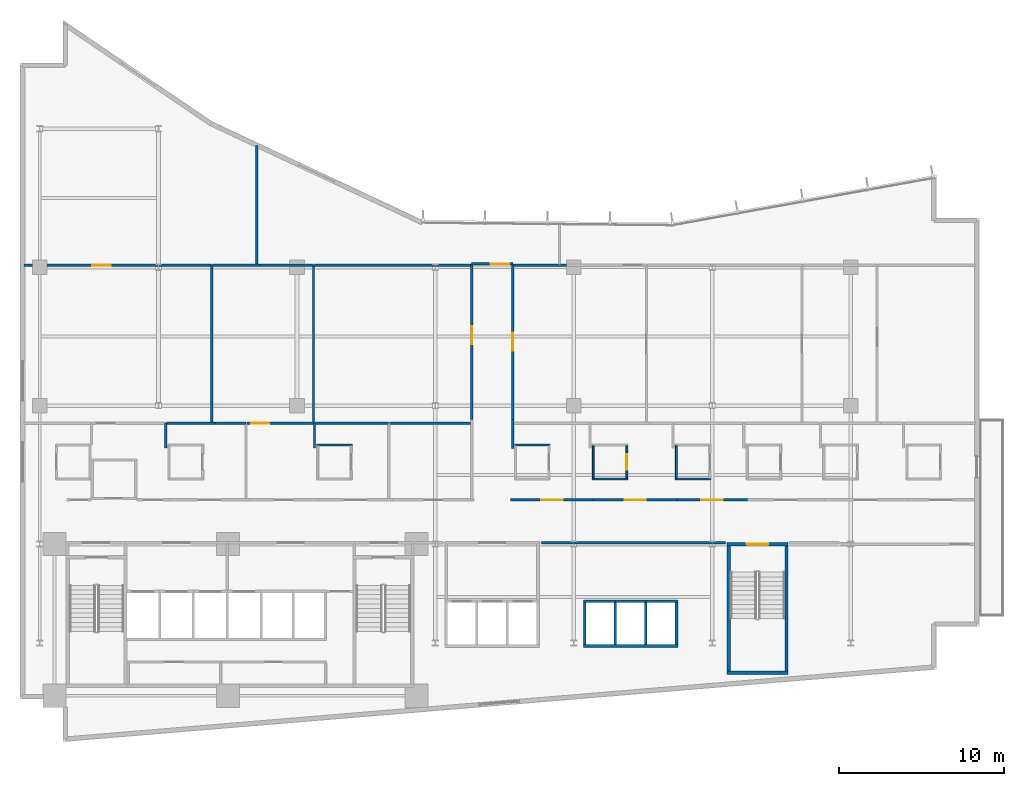
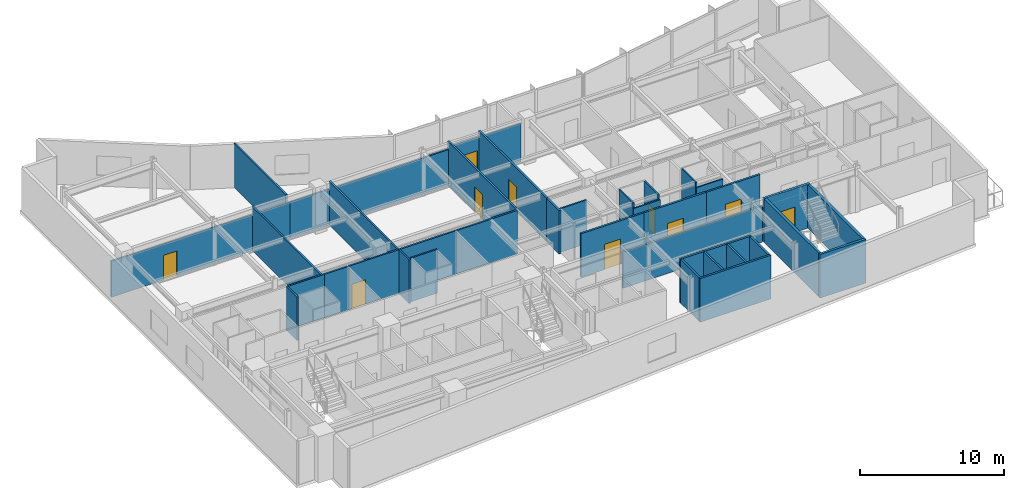
# One storey, part 12 of 19: 42 walls, 10 doors, 10 openings.
"""IFC4 building model written with IfcOpenShell, lengths in metres."""

from ifc_helpers import new_model, si_unit, direction, frame, frame_2d, origin, place, context, subcontext, project, spatial, rectangle, extrude, material, layer, layer_set, type_object, element, fill, save


model = new_model("IFC4")

# Units and contexts
model_context = context("Model", 3, precision=1e-05, world=origin(), true_north=direction((0.0, 1.0)))
body_context = subcontext(model_context, "Body", "Model", "MODEL_VIEW")
ifc_project = project(units=[si_unit("LENGTHUNIT", "METRE"), si_unit("AREAUNIT", "SQUARE_METRE"), si_unit("VOLUMEUNIT", "CUBIC_METRE"), si_unit("PLANEANGLEUNIT", "RADIAN"), si_unit("MASSUNIT", "GRAM", prefix="KILO")], contexts=[model_context])

# Site, building, storey
site_placement = place(None, origin())
site = spatial("IfcSite", under=ifc_project, at=site_placement, CompositionType="ELEMENT")
building_placement = place(site_placement, origin())
building = spatial("IfcBuilding", under=site, at=building_placement, Name="Varnakote Quay Hospital", CompositionType="ELEMENT")
storey_placement = place(building_placement, frame((0.0, 0.0, 50.14990234375)))
storey = spatial("IfcBuildingStorey", under=building, at=storey_placement, Name="L12", CompositionType="ELEMENT", Elevation=50.14990234375)

# Walls
ifc_material_1 = material(Name="Fire-rated acoustic gypsum stud wall", Category="gypsum")
ifc_layer_1 = layer(ifc_material_1, 0.159912109375)
ifc_layer_set_1 = layer_set([ifc_layer_1], Name="Fire-rated acoustic gypsum stud wall")
wall_type_1 = type_object("IfcWallType", Name="WL-COMP-160", PredefinedType="PARTITIONING", material=ifc_layer_set_1)
wall_1_placement = place(storey_placement, frame((31.6298828125, 12.080078125, 0.0), z_axis=(0.0, 0.0, 1.0), x_axis=(1.0, 0.0, 0.0)))
element("IfcWall", 1, at=wall_1_placement, inside=storey, type_object=wall_type_1, Name="L12 Corridor South Gap Wall", PredefinedType="PARTITIONING", context=body_context, shape_type="SweptSolid", body=[
    extrude(rectangle(XDim=11.180908203125, YDim=0.159912109375, at=frame_2d((5.59033203125, 0.0))), origin(), (0.0, 0.0, 1.0), 3.072998046875),
])
ifc_material_2 = material(Name="Moisture-resistant bathroom partition", Category="gypsum")
ifc_layer_2 = layer(ifc_material_2, 0.114990234375)
ifc_layer_set_2 = layer_set([ifc_layer_2], Name="Moisture-resistant bathroom partition")
wall_type_2 = type_object("IfcWallType", Name="WL-ENS-115", PredefinedType="PARTITIONING", material=ifc_layer_set_2)
for number, where, z_axis, x_axis, name in (
    (2, (18.0048828125, 18.017578125, 0.0), (0.0, 0.0, 1.0), (1.0, 0.0, 0.0), "L12 Inpatient En-Suite Bathroom 03 N Wall"),
    (3, (30.0048828125, 18.017578125, 0.0), (0.0, 0.0, 1.0), (1.0, 0.0, 0.0), "L12 Inpatient En-Suite Bathroom 04 N Wall"),
):
    element("IfcWall", number, at=place(storey_placement, frame(where, z_axis=z_axis, x_axis=x_axis)), inside=storey, type_object=wall_type_2, Name=name, PredefinedType="PARTITIONING", context=body_context, shape_type="SweptSolid", body=[
        extrude(rectangle(XDim=2.150146484375, YDim=0.114990234375, at=frame_2d((1.0751953125, 0.0))), origin(), (0.0, 0.0, 1.0), 3.710205078125),
    ])
wall_2_placement = place(storey_placement, frame((34.72509765625, 15.952392578125, 0.0), z_axis=(0.0, 0.0, 1.0), x_axis=(1.0, 0.0, 0.0)))
element("IfcWall", 4, at=wall_2_placement, inside=storey, type_object=wall_type_2, Name="L12 Inpatient En-Suite Bathroom 05 S Wall", PredefinedType="PARTITIONING", context=body_context, shape_type="SweptSolid", body=[
    extrude(rectangle(XDim=2.14990234375, YDim=0.114990234375, at=frame_2d((1.074951171875, 0.0))), origin(), (0.0, 0.0, 1.0), 3.3291015625),
])
wall_3_placement = place(storey_placement, frame((34.782470703125, 16.010009765625, 0.0), z_axis=(0.0, 0.0, 1.0), x_axis=(0.0, 1.0, 0.0)))
element("IfcWall", 5, at=wall_3_placement, inside=storey, type_object=wall_type_2, Name="L12 Inpatient En-Suite Bathroom 05 W Wall", PredefinedType="PARTITIONING", context=body_context, shape_type="SweptSolid", body=[
    extrude(rectangle(XDim=1.949951171875, YDim=0.114990234375, at=frame_2d((0.97509765625, 0.0))), origin(), (0.0, 0.0, 1.0), 3.710205078125),
])

# Wall, opening, door
wall_4_placement = place(storey_placement, frame((36.8173828125, 16.010009765625, 0.0), z_axis=(0.0, 0.0, 1.0), x_axis=(0.0, 1.0, 0.0)))
wall_4 = element("IfcWall", 6, at=wall_4_placement, inside=storey, type_object=wall_type_2, Name="L12 Inpatient En-Suite Bathroom 05 E Wall", PredefinedType="PARTITIONING", context=body_context, shape_type="SweptSolid", body=[
    extrude(rectangle(XDim=1.949951171875, YDim=0.114990234375, at=frame_2d((0.97509765625, 0.0))), origin(), (0.0, 0.0, 1.0), 3.710205078125),
])
opening_1_placement = place(wall_4_placement, frame((0.514892578125, 0.0, 0.0)))
opening_1 = element("IfcOpeningElement", 7, at=opening_1_placement, cuts=wall_4, Name="Opening D-L12-ENS05", PredefinedType="OPENING", context=body_context, shape_type="SweptSolid", body=[
    extrude(rectangle(XDim=0.919921875, YDim=2.10009765625, at=frame_2d((0.4599609375, 1.050048828125))), frame((0.0, 0.0673828125, 0.0), z_axis=(0.0, -1.0, 0.0), x_axis=(1.0, 0.0, 0.0)), (0.0, 0.0, 1.0), 0.135009765625),
])
ifc_material_3 = material(Name="Moisture-sealed en-suite bathroom door")
door_type_1 = type_object("IfcDoorType", Name="DR-ENS-920x2100", OperationType="NOTDEFINED", PredefinedType="DOOR", material=ifc_material_3)
door_1_placement = place(opening_1_placement, origin())
door_1 = element("IfcDoor", 8, at=door_1_placement, inside=storey, type_object=door_type_1, Name="L12 Inpatient En-Suite Bathroom 05 Door", OperationType="SINGLE_SWING_LEFT", OverallHeight=2.10009765625, OverallWidth=0.919921875, PredefinedType="DOOR", context=body_context, shape_type="SweptSolid", body=[
    extrude(rectangle(XDim=0.919921875, YDim=2.10009765625, at=frame_2d((0.4599609375, 1.050048828125))), frame((0.0, 0.02490234375, 0.0), z_axis=(0.0, -1.0, 0.0), x_axis=(1.0, 0.0, 0.0)), (0.0, 0.0, 1.0), 0.050048828125),
])
fill(opening_1, door_1)

# Walls
wall_5_placement = place(storey_placement, frame((39.764892578125, 15.952392578125, 0.0), z_axis=(0.0, 0.0, 1.0), x_axis=(1.0, 0.0, 0.0)))
element("IfcWall", 9, at=wall_5_placement, inside=storey, type_object=wall_type_2, Name="L12 Inpatient En-Suite Bathroom 06 S Wall", PredefinedType="PARTITIONING", context=body_context, shape_type="SweptSolid", body=[
    extrude(rectangle(XDim=2.150146484375, YDim=0.114990234375, at=frame_2d((1.0751953125, 0.0))), origin(), (0.0, 0.0, 1.0), 3.3291015625),
])
wall_6_placement = place(storey_placement, frame((39.822509765625, 16.010009765625, 0.0), z_axis=(0.0, 0.0, 1.0), x_axis=(0.0, 1.0, 0.0)))
element("IfcWall", 10, at=wall_6_placement, inside=storey, type_object=wall_type_2, Name="L12 Inpatient En-Suite Bathroom 06 W Wall", PredefinedType="PARTITIONING", context=body_context, shape_type="SweptSolid", body=[
    extrude(rectangle(XDim=1.949951171875, YDim=0.114990234375, at=frame_2d((0.97509765625, 0.0))), origin(), (0.0, 0.0, 1.0), 3.710205078125),
])
ifc_material_4 = material(Name="Concrete N50 (f'c 50 MPa)", Category="concrete")
ifc_layer_3 = layer(ifc_material_4, 0.14990234375)
ifc_layer_set_3 = layer_set([ifc_layer_3], Name="Concrete N50 (f'c 50 MPa)")
wall_type_3 = type_object("IfcWallType", Name="WL-SHAFT-N50-150", PredefinedType="SHEAR", material=ifc_layer_set_3)
for number, where, z_axis, x_axis, name in (
    (11, (36.125, 5.89990234375, 0.0), (0.0, 0.0, 1.0), (0.0, 1.0, 0.0), "L12 LF-PM1 Hoistway Divider Wall"),
    (12, (37.97509765625, 5.89990234375, 0.0), (0.0, 0.0, 1.0), (0.0, 1.0, 0.0), "L12 LF-PM2 Hoistway Divider Wall"),
):
    element("IfcWall", number, at=place(storey_placement, frame(where, z_axis=z_axis, x_axis=x_axis)), inside=storey, type_object=wall_type_3, Name=name, PredefinedType="SHEAR", context=body_context, shape_type="SweptSolid", body=[
        extrude(rectangle(XDim=2.550048828125, YDim=0.14990234375, at=frame_2d((1.27490234375, 0.0))), origin(), (0.0, 0.0, 1.0), 3.710205078125),
    ])
ifc_material_5 = material(Name="Concrete N50 (f'c 50 MPa)", Category="concrete")
ifc_layer_4 = layer(ifc_material_5, 0.159912109375)
ifc_layer_set_4 = layer_set([ifc_layer_4], Name="Concrete N50 (f'c 50 MPa)")
wall_type_4 = type_object("IfcWallType", Name="WL-SHAFT-N50-160", PredefinedType="SHEAR", material=ifc_layer_set_4)
wall_7_placement = place(storey_placement, frame((34.18994140625, 5.820068359375, 0.0), z_axis=(0.0, 0.0, 1.0), x_axis=(1.0, 0.0, 0.0)))
element("IfcWall", 13, at=wall_7_placement, inside=storey, type_object=wall_type_4, Name="L12 MID Lift Bank Back Shear Wall", PredefinedType="SHEAR", context=body_context, shape_type="SweptSolid", body=[
    extrude(rectangle(XDim=5.719970703125, YDim=0.159912109375, at=frame_2d((2.85986328125, 0.0))), origin(), (0.0, 0.0, 1.0), 3.710205078125),
])
for number, where, z_axis, x_axis, name in (
    (14, (34.27001953125, 5.89990234375, 0.0), (0.0, 0.0, 1.0), (0.0, 1.0, 0.0), "L12 MID Lift Bank West Shear Wall"),
    (15, (39.830078125, 5.89990234375, 0.0), (0.0, 0.0, 1.0), (0.0, 1.0, 0.0), "L12 MID Lift Bank East Shear Wall"),
):
    element("IfcWall", number, at=place(storey_placement, frame(where, z_axis=z_axis, x_axis=x_axis)), inside=storey, type_object=wall_type_4, Name=name, PredefinedType="SHEAR", context=body_context, shape_type="SweptSolid", body=[
        extrude(rectangle(XDim=2.550048828125, YDim=0.159912109375, at=frame_2d((1.27490234375, 0.0))), origin(), (0.0, 0.0, 1.0), 3.710205078125),
    ])
wall_8_placement = place(storey_placement, frame((34.18994140625, 8.530029296875, 0.0), z_axis=(0.0, 0.0, 1.0), x_axis=(1.0, 0.0, 0.0)))
element("IfcWall", 16, at=wall_8_placement, inside=storey, type_object=wall_type_4, Name="L12 LF-PM1 Hoistway Front Wall", PredefinedType="SHEAR", context=body_context, shape_type="SweptSolid", body=[
    extrude(rectangle(XDim=1.93505859375, YDim=0.159912109375, at=frame_2d((0.967529296875, 0.0))), origin(), (0.0, 0.0, 1.0), 3.710205078125),
])
wall_9_placement = place(storey_placement, frame((36.125, 8.530029296875, 0.0), z_axis=(0.0, 0.0, 1.0), x_axis=(1.0, 0.0, 0.0)))
element("IfcWall", 17, at=wall_9_placement, inside=storey, type_object=wall_type_4, Name="L12 LF-PM2 Hoistway Front Wall", PredefinedType="SHEAR", context=body_context, shape_type="SweptSolid", body=[
    extrude(rectangle(XDim=1.85009765625, YDim=0.159912109375, at=frame_2d((0.925048828125, 0.0))), origin(), (0.0, 0.0, 1.0), 3.710205078125),
])
wall_10_placement = place(storey_placement, frame((37.97509765625, 8.530029296875, 0.0), z_axis=(0.0, 0.0, 1.0), x_axis=(1.0, 0.0, 0.0)))
element("IfcWall", 18, at=wall_10_placement, inside=storey, type_object=wall_type_4, Name="L12 LF-PM3 Hoistway Front Wall", PredefinedType="SHEAR", context=body_context, shape_type="SweptSolid", body=[
    extrude(rectangle(XDim=1.934814453125, YDim=0.159912109375, at=frame_2d((0.96728515625, 0.0))), origin(), (0.0, 0.0, 1.0), 3.710205078125),
])
ifc_material_6 = material(Name="Concrete N50 (f'c 50 MPa)", Category="concrete")
ifc_layer_5 = layer(ifc_material_6, 0.199951171875)
ifc_layer_set_5 = layer_set([ifc_layer_5], Name="Concrete N50 (f'c 50 MPa)")
wall_type_5 = type_object("IfcWallType", Name="WL-SHAFT-N50-200", PredefinedType="SHEAR", material=ifc_layer_set_5)
wall_11_placement = place(storey_placement, frame((42.89990234375, 4.199951171875, 0.0), z_axis=(0.0, 0.0, 1.0), x_axis=(1.0, 0.0, 0.0)))
element("IfcWall", 19, at=wall_11_placement, inside=storey, type_object=wall_type_5, Name="L12 Stair ST3 South Shaft Wall", PredefinedType="SHEAR", context=body_context, shape_type="SweptSolid", body=[
    extrude(rectangle(XDim=3.7001953125, YDim=0.199951171875, at=frame_2d((1.85009765625, 0.0))), origin(), (0.0, 0.0, 1.0), 3.710205078125),
])
for number, where, z_axis, x_axis, name in (
    (20, (43.0, 4.300048828125, 0.0), (0.0, 0.0, 1.0), (0.0, 1.0, 0.0), "L12 Stair ST3 West Shaft Wall"),
    (21, (46.5, 4.300048828125, 0.0), (0.0, 0.0, 1.0), (0.0, 1.0, 0.0), "L12 Stair ST3 East Shaft Wall"),
):
    element("IfcWall", number, at=place(storey_placement, frame(where, z_axis=z_axis, x_axis=x_axis)), inside=storey, type_object=wall_type_5, Name=name, PredefinedType="SHEAR", context=body_context, shape_type="SweptSolid", body=[
        extrude(rectangle(XDim=7.599853515625, YDim=0.199951171875, at=frame_2d((3.7998046875, 0.0))), origin(), (0.0, 0.0, 1.0), 3.710205078125),
    ])

# Wall, opening, door
wall_12_placement = place(storey_placement, frame((42.89990234375, 12.0, 0.0), z_axis=(0.0, 0.0, 1.0), x_axis=(1.0, 0.0, 0.0)))
wall_12 = element("IfcWall", 22, at=wall_12_placement, inside=storey, type_object=wall_type_5, Name="L12 Stair ST3 Exit Wall", PredefinedType="SHEAR", context=body_context, shape_type="SweptSolid", body=[
    extrude(rectangle(XDim=3.7001953125, YDim=0.199951171875, at=frame_2d((1.85009765625, 0.0))), origin(), (0.0, 0.0, 1.0), 3.710205078125),
])
opening_2_placement = place(wall_12_placement, frame((1.199951171875, 0.0, 0.0)))
opening_2 = element("IfcOpeningElement", 23, at=opening_2_placement, cuts=wall_12, Name="Opening D-ST3-L12", PredefinedType="OPENING", context=body_context, shape_type="SweptSolid", body=[
    extrude(rectangle(XDim=1.300048828125, YDim=2.14990234375, at=frame_2d((0.64990234375, 1.074951171875))), frame((0.0, 0.10986328125, 0.0), z_axis=(0.0, -1.0, 0.0), x_axis=(1.0, 0.0, 0.0)), (0.0, 0.0, 1.0), 0.219970703125),
])
ifc_material_7 = material(Name="Fire-rated ceramic-glazed timber exit door", Category="wood")
door_type_2 = type_object("IfcDoorType", Name="DR-STAIR-FD60S-1300x2150", OperationType="NOTDEFINED", PredefinedType="DOOR", material=ifc_material_7)
door_2_placement = place(opening_2_placement, origin())
door_2 = element("IfcDoor", 24, at=door_2_placement, inside=storey, type_object=door_type_2, Name="L12 Stair ST3 Fire Exit Door", OperationType="SINGLE_SWING_RIGHT", OverallHeight=2.14990234375, OverallWidth=1.300048828125, PredefinedType="DOOR", context=body_context, shape_type="SweptSolid", body=[
    extrude(rectangle(XDim=1.300048828125, YDim=2.14990234375, at=frame_2d((0.64990234375, 1.074951171875))), frame((0.0, 0.02490234375, 0.0), z_axis=(0.0, -1.0, 0.0), x_axis=(1.0, 0.0, 0.0)), (0.0, 0.0, 1.0), 0.050048828125),
])
fill(opening_2, door_2)

# Walls
ifc_material_8 = material(Name="Smoke-proof clinical partition", Category="gypsum")
ifc_layer_6 = layer(ifc_material_8, 0.135009765625)
ifc_layer_set_6 = layer_set([ifc_layer_6], Name="Smoke-proof clinical partition")
wall_type_6 = type_object("IfcWallType", Name="WL-SMOKE-135", PredefinedType="PARTITIONING", material=ifc_layer_set_6)
wall_13_placement = place(storey_placement, frame((8.840087890625, 17.83251953125, 0.0), z_axis=(0.0, 0.0, 1.0), x_axis=(0.0, 1.0, 0.0)))
element("IfcWall", 25, at=wall_13_placement, inside=storey, type_object=wall_type_6, Name="L12 Clinical Interior Partition", PredefinedType="PARTITIONING", context=body_context, shape_type="SweptSolid", body=[
    extrude(rectangle(XDim=1.507568359375, YDim=0.135009765625, at=frame_2d((0.75390625, 0.0))), origin(), (0.0, 0.0, 1.0), 3.710205078125),
])
wall_14_placement = place(storey_placement, frame((11.82470703125, 19.340087890625, 0.0), z_axis=(0.0, 0.0, 1.0), x_axis=(-1.0, 0.0, 0.0)))
element("IfcWall", 26, at=wall_14_placement, inside=storey, type_object=wall_type_6, Name="L12 Clinical Interior Partition", PredefinedType="PARTITIONING", context=body_context, shape_type="SweptSolid", body=[
    extrude(rectangle(XDim=2.92724609375, YDim=0.135009765625, at=frame_2d((1.463623046875, 0.0))), origin(), (0.0, 0.0, 1.0), 3.710205078125),
])
wall_15_placement = place(storey_placement, frame((13.7099609375, 19.340087890625, 0.0), z_axis=(0.0, 0.0, 1.0), x_axis=(-1.0, 0.0, 0.0)))
element("IfcWall", 27, at=wall_15_placement, inside=storey, type_object=wall_type_6, Name="L12 Clinical Interior Partition", PredefinedType="PARTITIONING", context=body_context, shape_type="SweptSolid", body=[
    extrude(rectangle(XDim=1.88330078125, YDim=0.135009765625, at=frame_2d((0.941650390625, 0.0))), origin(), (0.0, 0.0, 1.0), 3.710205078125),
])
wall_16_placement = place(storey_placement, frame((17.860107421875, 17.83251953125, 0.0), z_axis=(0.0, 0.0, 1.0), x_axis=(0.0, 1.0, 0.0)))
element("IfcWall", 28, at=wall_16_placement, inside=storey, type_object=wall_type_6, Name="L12 Clinical Interior Partition", PredefinedType="PARTITIONING", context=body_context, shape_type="SweptSolid", body=[
    extrude(rectangle(XDim=1.507568359375, YDim=0.135009765625, at=frame_2d((0.75390625, 0.0))), origin(), (0.0, 0.0, 1.0), 3.710205078125),
])

# Wall, opening, door
wall_17_placement = place(storey_placement, frame((17.860107421875, 19.340087890625, 0.0), z_axis=(0.0, 0.0, 1.0), x_axis=(-1.0, 0.0, 0.0)))
wall_17 = element("IfcWall", 29, at=wall_17_placement, inside=storey, type_object=wall_type_6, Name="L12 Clinical Interior Partition", PredefinedType="PARTITIONING", context=body_context, shape_type="SweptSolid", body=[
    extrude(rectangle(XDim=4.092529296875, YDim=0.135009765625, at=frame_2d((2.04638671875, 0.0))), origin(), (0.0, 0.0, 1.0), 3.710205078125),
])
opening_3_placement = place(wall_17_placement, frame((2.727783203125, 0.0, 0.0)))
opening_3 = element("IfcOpeningElement", 30, at=opening_3_placement, cuts=wall_17, Name="Opening D-L12-MD05", PredefinedType="OPENING", context=body_context, shape_type="SweptSolid", body=[
    extrude(rectangle(XDim=1.10009765625, YDim=2.10009765625, at=frame_2d((0.550048828125, 1.050048828125))), frame((0.0, 0.077392578125, 0.0), z_axis=(0.0, -1.0, 0.0), x_axis=(1.0, 0.0, 0.0)), (0.0, 0.0, 1.0), 0.155029296875),
])
ifc_material_9 = material(Name="Acoustic timber clinical consult door", Category="wood")
door_type_3 = type_object("IfcDoorType", Name="DR-CLIN-FD30S-1100x2100", OperationType="NOTDEFINED", PredefinedType="DOOR", material=ifc_material_9)
door_3_placement = place(opening_3_placement, origin())
door_3 = element("IfcDoor", 31, at=door_3_placement, inside=storey, type_object=door_type_3, Name="L12 Multidisciplinary Clinical Consultation Suite Door", OperationType="SINGLE_SWING_LEFT", OverallHeight=2.10009765625, OverallWidth=1.10009765625, PredefinedType="DOOR", context=body_context, shape_type="SweptSolid", body=[
    extrude(rectangle(XDim=1.10009765625, YDim=2.10009765625, at=frame_2d((0.550048828125, 1.050048828125))), frame((0.0, 0.02490234375, 0.0), z_axis=(0.0, -1.0, 0.0), x_axis=(1.0, 0.0, 0.0)), (0.0, 0.0, 1.0), 0.050048828125),
])
fill(opening_3, door_3)

# Walls
wall_18_placement = place(storey_placement, frame((22.3701171875, 19.340087890625, 0.0), z_axis=(0.0, 0.0, 1.0), x_axis=(-1.0, 0.0, 0.0)))
element("IfcWall", 32, at=wall_18_placement, inside=storey, type_object=wall_type_6, Name="L12 Clinical Interior Partition", PredefinedType="PARTITIONING", context=body_context, shape_type="SweptSolid", body=[
    extrude(rectangle(XDim=4.45263671875, YDim=0.135009765625, at=frame_2d((2.226318359375, 0.0))), origin(), (0.0, 0.0, 1.0), 3.710205078125),
])
wall_19_placement = place(storey_placement, frame((27.320068359375, 19.340087890625, 0.0), z_axis=(0.0, 0.0, 1.0), x_axis=(-1.0, 0.0, 0.0)))
element("IfcWall", 33, at=wall_19_placement, inside=storey, type_object=wall_type_6, Name="L12 Clinical Interior Partition", PredefinedType="PARTITIONING", context=body_context, shape_type="SweptSolid", body=[
    extrude(rectangle(XDim=4.892578125, YDim=0.135009765625, at=frame_2d((2.4462890625, 0.0))), origin(), (0.0, 0.0, 1.0), 3.710205078125),
])
wall_20_placement = place(storey_placement, frame((11.6298828125, 19.3974609375, 0.0), z_axis=(0.0, 0.0, 1.0), x_axis=(0.0, 1.0, 0.0)))
element("IfcWall", 34, at=wall_20_placement, inside=storey, type_object=wall_type_6, Name="L12 Clinical Interior Partition", PredefinedType="PARTITIONING", context=body_context, shape_type="SweptSolid", body=[
    extrude(rectangle(XDim=9.5224609375, YDim=0.135009765625, at=frame_2d((4.76123046875, 0.0))), origin(), (0.0, 0.0, 1.0), 3.710205078125),
])

# Wall, opening, door
wall_21_placement = place(storey_placement, frame((11.6298828125, 28.919921875, 0.0), z_axis=(0.0, 0.0, 1.0), x_axis=(-1.0, 0.0, 0.0)))
wall_21 = element("IfcWall", 35, at=wall_21_placement, inside=storey, type_object=wall_type_6, Name="L12 Clinical Interior Partition", PredefinedType="PARTITIONING", context=body_context, shape_type="SweptSolid", body=[
    extrude(rectangle(XDim=11.389892578125, YDim=0.135009765625, at=frame_2d((5.69482421875, 0.0))), origin(), (0.0, 0.0, 1.0), 3.072998046875),
])
opening_4_placement = place(wall_21_placement, frame((6.134033203125, 0.0, 0.0)))
opening_4 = element("IfcOpeningElement", 36, at=opening_4_placement, cuts=wall_21, Name="Opening D-L12-MD10", PredefinedType="OPENING", context=body_context, shape_type="SweptSolid", body=[
    extrude(rectangle(XDim=1.10009765625, YDim=2.10009765625, at=frame_2d((0.550048828125, 1.050048828125))), frame((0.0, 0.077392578125, 0.0), z_axis=(0.0, -1.0, 0.0), x_axis=(1.0, 0.0, 0.0)), (0.0, 0.0, 1.0), 0.155029296875),
])
door_4_placement = place(opening_4_placement, origin())
door_4 = element("IfcDoor", 37, at=door_4_placement, inside=storey, type_object=door_type_3, Name="L12 Ward Clinical Governance Office Door", OperationType="SINGLE_SWING_RIGHT", OverallHeight=2.10009765625, OverallWidth=1.10009765625, PredefinedType="DOOR", context=body_context, shape_type="SweptSolid", body=[
    extrude(rectangle(XDim=1.10009765625, YDim=2.10009765625, at=frame_2d((0.550048828125, 1.050048828125))), frame((0.0, 0.02490234375, 0.0), z_axis=(0.0, -1.0, 0.0), x_axis=(1.0, 0.0, 0.0)), (0.0, 0.0, 1.0), 0.050048828125),
])
fill(opening_4, door_4)

# Walls
wall_22_placement = place(storey_placement, frame((17.81005859375, 19.3974609375, 0.0), z_axis=(0.0, 0.0, 1.0), x_axis=(0.0, 1.0, 0.0)))
element("IfcWall", 38, at=wall_22_placement, inside=storey, type_object=wall_type_6, Name="L12 Clinical Interior Partition", PredefinedType="PARTITIONING", context=body_context, shape_type="SweptSolid", body=[
    extrude(rectangle(XDim=9.5224609375, YDim=0.135009765625, at=frame_2d((4.76123046875, 0.0))), origin(), (0.0, 0.0, 1.0), 3.710205078125),
])
wall_23_placement = place(storey_placement, frame((14.564697265625, 28.919921875, 0.0), z_axis=(0.0, 0.0, 1.0), x_axis=(-1.0, 0.0, 0.0)))
element("IfcWall", 39, at=wall_23_placement, inside=storey, type_object=wall_type_6, Name="L12 Clinical Interior Partition", PredefinedType="PARTITIONING", context=body_context, shape_type="SweptSolid", body=[
    extrude(rectangle(XDim=2.877197265625, YDim=0.135009765625, at=frame_2d((1.4384765625, 0.0))), origin(), (0.0, 0.0, 1.0), 3.072998046875),
])
wall_24_placement = place(storey_placement, frame((17.81005859375, 28.919921875, 0.0), z_axis=(0.0, 0.0, 1.0), x_axis=(-1.0, 0.0, 0.0)))
element("IfcWall", 40, at=wall_24_placement, inside=storey, type_object=wall_type_6, Name="L12 Clinical Interior Partition", PredefinedType="PARTITIONING", context=body_context, shape_type="SweptSolid", body=[
    extrude(rectangle(XDim=3.243408203125, YDim=0.135009765625, at=frame_2d((1.62158203125, 0.0))), origin(), (0.0, 0.0, 1.0), 3.072998046875),
])
wall_25_placement = place(storey_placement, frame((27.320068359375, 28.919921875, 0.0), z_axis=(0.0, 0.0, 1.0), x_axis=(-1.0, 0.0, 0.0)))
element("IfcWall", 41, at=wall_25_placement, inside=storey, type_object=wall_type_6, Name="L12 Clinical Interior Partition", PredefinedType="PARTITIONING", context=body_context, shape_type="SweptSolid", body=[
    extrude(rectangle(XDim=9.45263671875, YDim=0.135009765625, at=frame_2d((4.726318359375, 0.0))), origin(), (0.0, 0.0, 1.0), 3.072998046875),
])
wall_26_placement = place(storey_placement, frame((33.14990234375, 28.919921875, 0.0), z_axis=(0.0, 0.0, 1.0), x_axis=(-1.0, 0.0, 0.0)))
element("IfcWall", 42, at=wall_26_placement, inside=storey, type_object=wall_type_6, Name="L12 Clinical Interior Partition", PredefinedType="PARTITIONING", context=body_context, shape_type="SweptSolid", body=[
    extrude(rectangle(XDim=3.184814453125, YDim=0.135009765625, at=frame_2d((1.59228515625, 0.0))), origin(), (0.0, 0.0, 1.0), 3.279052734375),
])
wall_27_placement = place(storey_placement, frame((14.3701171875, 28.9775390625, 0.0), z_axis=(0.0, 0.0, 1.0), x_axis=(0.0, 1.0, 0.0)))
element("IfcWall", 43, at=wall_27_placement, inside=storey, type_object=wall_type_6, Name="L12 Clinical Interior Partition", PredefinedType="PARTITIONING", context=body_context, shape_type="SweptSolid", body=[
    extrude(rectangle(XDim=7.2216796875, YDim=0.135009765625, at=frame_2d((3.61083984375, 0.0))), origin(), (0.0, 0.0, 1.0), 3.710205078125),
])

# Wall, opening, door
ifc_material_10 = material(Name="Fire-rated clinical gypsum partition", Category="gypsum")
ifc_layer_7 = layer(ifc_material_10, 0.14990234375)
ifc_layer_set_7 = layer_set([ifc_layer_7], Name="Fire-rated clinical gypsum partition")
wall_type_7 = type_object("IfcWallType", Name="WL-WARD-150", PredefinedType="PARTITIONING", material=ifc_layer_set_7)
wall_28_placement = place(storey_placement, frame((34.805908203125, 14.679931640625, 0.0), z_axis=(0.0, 0.0, 1.0), x_axis=(-1.0, 0.0, 0.0)))
wall_28 = element("IfcWall", 44, at=wall_28_placement, inside=storey, type_object=wall_type_7, Name="L12 Clinical Interior Partition", PredefinedType="PARTITIONING", context=body_context, shape_type="SweptSolid", body=[
    extrude(rectangle(XDim=5.052001953125, YDim=0.14990234375, at=frame_2d((2.52587890625, 0.0))), origin(), (0.0, 0.0, 1.0), 3.710205078125),
])
opening_5_placement = place(wall_28_placement, frame((1.8759765625, 0.0, 0.0)))
opening_5 = element("IfcOpeningElement", 45, at=opening_5_placement, cuts=wall_28, Name="Opening D-L12-BR04", PredefinedType="OPENING", context=body_context, shape_type="SweptSolid", body=[
    extrude(rectangle(XDim=1.300048828125, YDim=2.14990234375, at=frame_2d((0.64990234375, 1.074951171875))), frame((0.0, 0.0849609375, 0.0), z_axis=(0.0, -1.0, 0.0), x_axis=(1.0, 0.0, 0.0)), (0.0, 0.0, 1.0), 0.169921875),
])
ifc_material_11 = material(Name="Solid-core timber clinical bed door", Category="wood")
door_type_4 = type_object("IfcDoorType", Name="DR-WARD-FD30S-1300x2150", OperationType="NOTDEFINED", PredefinedType="DOOR", material=ifc_material_11)
door_5_placement = place(opening_5_placement, origin())
door_5 = element("IfcDoor", 46, at=door_5_placement, inside=storey, type_object=door_type_4, Name="L12 Resident Care Bedroom 04 Door", OperationType="SINGLE_SWING_LEFT", OverallHeight=2.14990234375, OverallWidth=1.300048828125, PredefinedType="DOOR", context=body_context, shape_type="SweptSolid", body=[
    extrude(rectangle(XDim=1.300048828125, YDim=2.14990234375, at=frame_2d((0.64990234375, 1.074951171875))), frame((0.0, 0.02490234375, 0.0), z_axis=(0.0, -1.0, 0.0), x_axis=(1.0, 0.0, 0.0)), (0.0, 0.0, 1.0), 0.050048828125),
])
fill(opening_5, door_5)

wall_29_placement = place(storey_placement, frame((39.845947265625, 14.679931640625, 0.0), z_axis=(0.0, 0.0, 1.0), x_axis=(-1.0, 0.0, 0.0)))
wall_29 = element("IfcWall", 47, at=wall_29_placement, inside=storey, type_object=wall_type_7, Name="L12 Clinical Interior Partition", PredefinedType="PARTITIONING", context=body_context, shape_type="SweptSolid", body=[
    extrude(rectangle(XDim=5.037841796875, YDim=0.14990234375, at=frame_2d((2.51904296875, 0.0))), origin(), (0.0, 0.0, 1.0), 3.710205078125),
])
opening_6_placement = place(wall_29_placement, frame((1.868896484375, 0.0, 0.0)))
opening_6 = element("IfcOpeningElement", 48, at=opening_6_placement, cuts=wall_29, Name="Opening D-L12-BR05", PredefinedType="OPENING", context=body_context, shape_type="SweptSolid", body=[
    extrude(rectangle(XDim=1.300048828125, YDim=2.14990234375, at=frame_2d((0.64990234375, 1.074951171875))), frame((0.0, 0.0849609375, 0.0), z_axis=(0.0, -1.0, 0.0), x_axis=(1.0, 0.0, 0.0)), (0.0, 0.0, 1.0), 0.169921875),
])
door_6_placement = place(opening_6_placement, origin())
door_6 = element("IfcDoor", 49, at=door_6_placement, inside=storey, type_object=door_type_4, Name="L12 Resident Care Bedroom 05 Door", OperationType="SINGLE_SWING_RIGHT", OverallHeight=2.14990234375, OverallWidth=1.300048828125, PredefinedType="DOOR", context=body_context, shape_type="SweptSolid", body=[
    extrude(rectangle(XDim=1.300048828125, YDim=2.14990234375, at=frame_2d((0.64990234375, 1.074951171875))), frame((0.0, 0.02490234375, 0.0), z_axis=(0.0, -1.0, 0.0), x_axis=(1.0, 0.0, 0.0)), (0.0, 0.0, 1.0), 0.050048828125),
])
fill(opening_6, door_6)

wall_30_placement = place(storey_placement, frame((44.135986328125, 14.679931640625, 0.0), z_axis=(0.0, 0.0, 1.0), x_axis=(-1.0, 0.0, 0.0)))
wall_30 = element("IfcWall", 50, at=wall_30_placement, inside=storey, type_object=wall_type_7, Name="L12 Clinical Interior Partition", PredefinedType="PARTITIONING", context=body_context, shape_type="SweptSolid", body=[
    extrude(rectangle(XDim=4.2880859375, YDim=0.14990234375, at=frame_2d((2.14404296875, 0.0))), origin(), (0.0, 0.0, 1.0), 3.710205078125),
])
opening_7_placement = place(wall_30_placement, frame((1.493896484375, 0.0, 0.0)))
opening_7 = element("IfcOpeningElement", 51, at=opening_7_placement, cuts=wall_30, Name="Opening D-L12-BR06", PredefinedType="OPENING", context=body_context, shape_type="SweptSolid", body=[
    extrude(rectangle(XDim=1.300048828125, YDim=2.14990234375, at=frame_2d((0.64990234375, 1.074951171875))), frame((0.0, 0.0849609375, 0.0), z_axis=(0.0, -1.0, 0.0), x_axis=(1.0, 0.0, 0.0)), (0.0, 0.0, 1.0), 0.169921875),
])
door_7_placement = place(opening_7_placement, origin())
door_7 = element("IfcDoor", 52, at=door_7_placement, inside=storey, type_object=door_type_4, Name="L12 Resident Care Bedroom 06 Door", OperationType="SINGLE_SWING_LEFT", OverallHeight=2.14990234375, OverallWidth=1.300048828125, PredefinedType="DOOR", context=body_context, shape_type="SweptSolid", body=[
    extrude(rectangle(XDim=1.300048828125, YDim=2.14990234375, at=frame_2d((0.64990234375, 1.074951171875))), frame((0.0, 0.02490234375, 0.0), z_axis=(0.0, -1.0, 0.0), x_axis=(1.0, 0.0, 0.0)), (0.0, 0.0, 1.0), 0.050048828125),
])
fill(opening_7, door_7)

wall_31_placement = place(storey_placement, frame((27.39990234375, 29.0, 0.0), z_axis=(0.0, 0.0, 1.0), x_axis=(0.0, -1.0, 0.0)))
wall_31 = element("IfcWall", 53, at=wall_31_placement, inside=storey, type_object=wall_type_7, Name="L12 Clinical Interior Partition", PredefinedType="PARTITIONING", context=body_context, shape_type="SweptSolid", body=[
    extrude(rectangle(XDim=9.431884765625, YDim=0.14990234375, at=frame_2d((4.7158203125, 0.0))), origin(), (0.0, 0.0, 1.0), 3.710205078125),
])
opening_8_placement = place(wall_31_placement, frame((3.769287109375, 0.0, 0.0)))
opening_8 = element("IfcOpeningElement", 54, at=opening_8_placement, cuts=wall_31, Name="Opening D-L12-MD06", PredefinedType="OPENING", context=body_context, shape_type="SweptSolid", body=[
    extrude(rectangle(XDim=1.10009765625, YDim=2.10009765625, at=frame_2d((0.550048828125, 1.050048828125))), frame((0.0, 0.0849609375, 0.0), z_axis=(0.0, -1.0, 0.0), x_axis=(1.0, 0.0, 0.0)), (0.0, 0.0, 1.0), 0.169921875),
])
door_8_placement = place(opening_8_placement, origin())
door_8 = element("IfcDoor", 55, at=door_8_placement, inside=storey, type_object=door_type_3, Name="L12 Ward Clinical Governance Office Door", OperationType="SINGLE_SWING_LEFT", OverallHeight=2.10009765625, OverallWidth=1.10009765625, PredefinedType="DOOR", context=body_context, shape_type="SweptSolid", body=[
    extrude(rectangle(XDim=1.10009765625, YDim=2.10009765625, at=frame_2d((0.550048828125, 1.050048828125))), frame((0.0, 0.02490234375, 0.0), z_axis=(0.0, -1.0, 0.0), x_axis=(1.0, 0.0, 0.0)), (0.0, 0.0, 1.0), 0.050048828125),
])
fill(opening_8, door_8)

# Wall
wall_32_placement = place(storey_placement, frame((29.89990234375, 17.81396484375, 0.0), z_axis=(0.0, 0.0, 1.0), x_axis=(0.0, 1.0, 0.0)))
element("IfcWall", 56, at=wall_32_placement, inside=storey, type_object=wall_type_7, Name="L12 Clinical Interior Partition", PredefinedType="PARTITIONING", context=body_context, shape_type="SweptSolid", body=[
    extrude(rectangle(XDim=1.751953125, YDim=0.14990234375, at=frame_2d((0.8759765625, 0.0))), origin(), (0.0, 0.0, 1.0), 3.710205078125),
])

# Wall, opening, door
wall_33_placement = place(storey_placement, frame((29.89990234375, 19.568115234375, 0.0), z_axis=(0.0, 0.0, 1.0), x_axis=(0.0, 1.0, 0.0)))
wall_33 = element("IfcWall", 57, at=wall_33_placement, inside=storey, type_object=wall_type_7, Name="L12 Clinical Interior Partition", PredefinedType="PARTITIONING", context=body_context, shape_type="SweptSolid", body=[
    extrude(rectangle(XDim=9.431884765625, YDim=0.14990234375, at=frame_2d((4.7158203125, 0.0))), origin(), (0.0, 0.0, 1.0), 3.710205078125),
])
opening_9_placement = place(wall_33_placement, frame((4.166015625, 0.0, 0.0)))
opening_9 = element("IfcOpeningElement", 58, at=opening_9_placement, cuts=wall_33, Name="Opening D-L12-MD07", PredefinedType="OPENING", context=body_context, shape_type="SweptSolid", body=[
    extrude(rectangle(XDim=1.10009765625, YDim=2.10009765625, at=frame_2d((0.550048828125, 1.050048828125))), frame((0.0, 0.0849609375, 0.0), z_axis=(0.0, -1.0, 0.0), x_axis=(1.0, 0.0, 0.0)), (0.0, 0.0, 1.0), 0.169921875),
])
door_9_placement = place(opening_9_placement, origin())
door_9 = element("IfcDoor", 59, at=door_9_placement, inside=storey, type_object=door_type_3, Name="L12 Acute Telemetry Treatment Suite Door", OperationType="SINGLE_SWING_RIGHT", OverallHeight=2.10009765625, OverallWidth=1.10009765625, PredefinedType="DOOR", context=body_context, shape_type="SweptSolid", body=[
    extrude(rectangle(XDim=1.10009765625, YDim=2.10009765625, at=frame_2d((0.550048828125, 1.050048828125))), frame((0.0, 0.02490234375, 0.0), z_axis=(0.0, -1.0, 0.0), x_axis=(1.0, 0.0, 0.0)), (0.0, 0.0, 1.0), 0.050048828125),
])
fill(opening_9, door_9)

wall_34_placement = place(storey_placement, frame((29.89990234375, 29.0, 0.0), z_axis=(0.0, 0.0, 1.0), x_axis=(-1.0, 0.0, 0.0)))
wall_34 = element("IfcWall", 60, at=wall_34_placement, inside=storey, type_object=wall_type_7, Name="L12 Clinical Interior Partition", PredefinedType="PARTITIONING", context=body_context, shape_type="SweptSolid", body=[
    extrude(rectangle(XDim=2.5, YDim=0.14990234375, at=frame_2d((1.25, 0.0))), origin(), (0.0, 0.0, 1.0), 3.279052734375),
])
opening_10_placement = place(wall_34_placement, frame((0.22509765625, 0.0, 0.0)))
opening_10 = element("IfcOpeningElement", 61, at=opening_10_placement, cuts=wall_34, Name="Opening D-L12-MD11", PredefinedType="OPENING", context=body_context, shape_type="SweptSolid", body=[
    extrude(rectangle(XDim=1.10009765625, YDim=2.10009765625, at=frame_2d((0.550048828125, 1.050048828125))), frame((0.0, 0.0849609375, 0.0), z_axis=(0.0, -1.0, 0.0), x_axis=(1.0, 0.0, 0.0)), (0.0, 0.0, 1.0), 0.169921875),
])
door_10_placement = place(opening_10_placement, origin())
door_10 = element("IfcDoor", 62, at=door_10_placement, inside=storey, type_object=door_type_3, Name="L12 Acute Telemetry Treatment Suite Door", OperationType="SINGLE_SWING_LEFT", OverallHeight=2.10009765625, OverallWidth=1.10009765625, PredefinedType="DOOR", context=body_context, shape_type="SweptSolid", body=[
    extrude(rectangle(XDim=1.10009765625, YDim=2.10009765625, at=frame_2d((0.550048828125, 1.050048828125))), frame((0.0, 0.02490234375, 0.0), z_axis=(0.0, -1.0, 0.0), x_axis=(1.0, 0.0, 0.0)), (0.0, 0.0, 1.0), 0.050048828125),
])
fill(opening_10, door_10)

save(model, "model.ifc")
